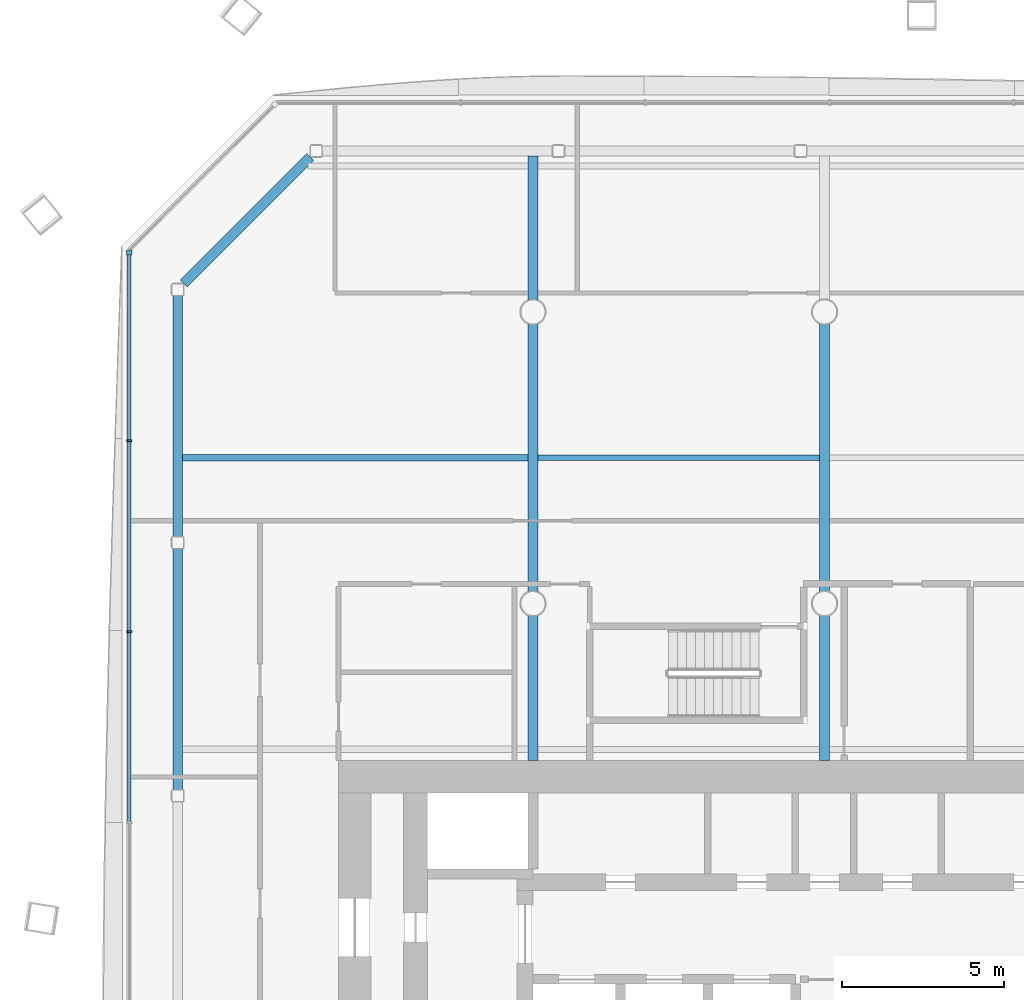
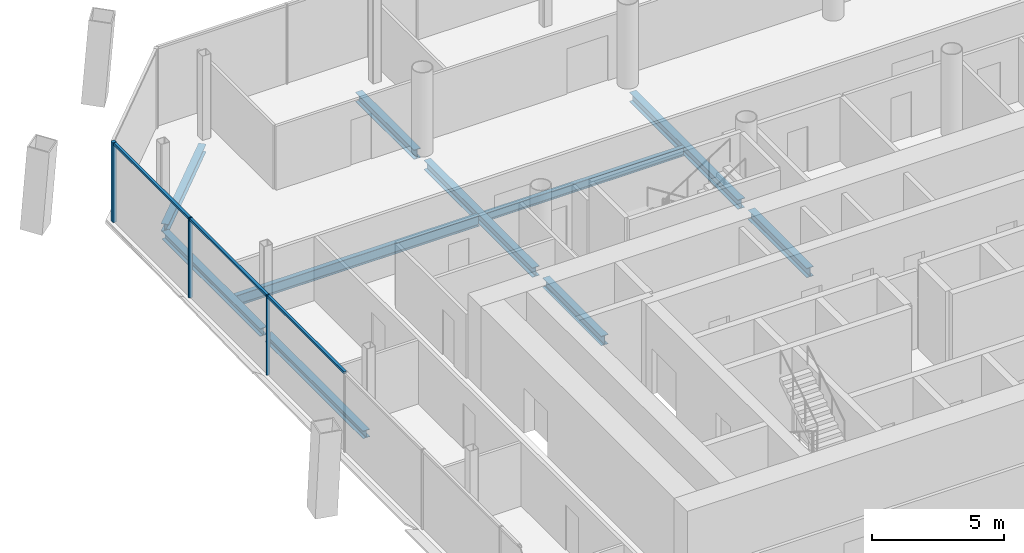
# One storey, part 7 of 19: 10 beams, 6 members, 1 element without a shape of its own.
"""IFC4 building model written with IfcOpenShell, lengths in metres."""

import ifcopenshell
import ifcopenshell.guid

model = None  # the IFC model being written
_history = None  # IfcOwnerHistory: only IFC2X3 demands one
_inside = {}  # id of a spatial element -> (the spatial element, [elements in it])
_under = {}  # id of a project, library or spatial element -> (it, [spatial elements below it])
_declared = {}  # id of a project -> (the project, [libraries it declares])
_typed = {}  # id of a type object -> (the type object, [elements of that type])
_made_of = {}  # id of a material, layer set ... -> (it, [elements and type objects made of it])


def new_model(schema):
    """Start an empty IFC model of exactly this schema.

    Asked for "IFC4X3", IfcOpenShell would pick the latest addendum, in which some entities
    have other attributes; the version numbers below select the first issue.
    IFC2X3 requires an IfcOwnerHistory on every rooted entity: one is made here for all.
    """
    global model, _history
    if schema == "IFC4X3":
        model = ifcopenshell.file(schema_version=(4, 3, 0, 0))
    else:
        model = ifcopenshell.file(schema=schema)
    _inside.clear()
    _under.clear()
    _declared.clear()
    _typed.clear()
    _made_of.clear()
    _history = None
    if model.schema == "IFC2X3":
        org = make("IfcOrganization", Name="unknown")
        user = make(
            "IfcPersonAndOrganization",
            ThePerson=make("IfcPerson", FamilyName="unknown"),
            TheOrganization=org,
        )
        app = make(
            "IfcApplication",
            ApplicationDeveloper=org,
            Version="unknown",
            ApplicationFullName="unknown",
            ApplicationIdentifier="unknown",
        )
        _history = make(
            "IfcOwnerHistory",
            OwningUser=user,
            OwningApplication=app,
            ChangeAction="ADDED",
            CreationDate=0,
        )
    return model


def make(cls, **values):
    """One entity of the class cls with the attributes given. An attribute that is None is left unset."""
    return model.create_entity(
        cls, **{name: value for name, value in values.items() if value is not None}
    )


def rooted(cls, **values):
    """An entity with a GlobalId (a new one), such as an element, a storey or a relation."""
    return make(cls, GlobalId=ifcopenshell.guid.new(), OwnerHistory=_history, **values)


def si_unit(unit_type, name, prefix=None):
    """IfcSIUnit, for example si_unit("LENGTHUNIT", "METRE", prefix="MILLI")."""
    return make("IfcSIUnit", UnitType=unit_type, Prefix=prefix, Name=name)


def assignment(units):
    """IfcUnitAssignment: the units of a project."""
    return None if units is None else make("IfcUnitAssignment", Units=units)


def point(xyz):
    """IfcCartesianPoint."""
    return None if xyz is None else make("IfcCartesianPoint", Coordinates=xyz)


def direction(xyz):
    """IfcDirection."""
    return None if xyz is None else make("IfcDirection", DirectionRatios=xyz)


def frame(location, z_axis=None, x_axis=None):
    """IfcAxis2Placement3D, a coordinate frame: its origin and axes. An axis left out is left unset."""
    return make(
        "IfcAxis2Placement3D",
        Location=point(location),
        Axis=direction(z_axis),
        RefDirection=direction(x_axis),
    )


def frame_2d(location, x_axis=None):
    """IfcAxis2Placement2D, a coordinate frame in the plane: its origin and x axis."""
    return make(
        "IfcAxis2Placement2D", Location=point(location), RefDirection=direction(x_axis)
    )


def origin():
    """The frame at (0, 0, 0) with its axes left unset."""
    return frame((0.0, 0.0, 0.0))


def origin_2d():
    """The frame at (0, 0) in the plane with its x axis left unset."""
    return frame_2d((0.0, 0.0))


def place(relative_to, where):
    """IfcLocalPlacement: puts the frame where relative to a parent placement (None: the world)."""
    return make(
        "IfcLocalPlacement", PlacementRelTo=relative_to, RelativePlacement=where
    )


def context(
    kind, dimensions, precision=None, world=None, true_north=None, identifier=None
):
    """IfcGeometricRepresentationContext, for example the 3D "Model" context."""
    return make(
        "IfcGeometricRepresentationContext",
        ContextIdentifier=identifier,
        ContextType=kind,
        CoordinateSpaceDimension=dimensions,
        Precision=precision,
        WorldCoordinateSystem=world,
        TrueNorth=true_north,
    )


def subcontext(parent, identifier, kind, view, scale=None):
    """IfcGeometricRepresentationSubContext, for example "Body" below "Model"."""
    return make(
        "IfcGeometricRepresentationSubContext",
        ContextIdentifier=identifier,
        ContextType=kind,
        ParentContext=parent,
        TargetScale=scale,
        TargetView=view,
    )


def project(units=None, contexts=None):
    """IfcProject with its units and contexts."""
    return rooted(
        "IfcProject",
        Name="project",
        RepresentationContexts=contexts,
        UnitsInContext=assignment(units),
    )


def spatial(cls, under=None, at=None, **own):
    """A site, building, storey or space (cls), placed at a placement, below another one or the project."""
    s = rooted(cls, ObjectPlacement=at, **own)
    if under is not None:
        _under.setdefault(under.id(), (under, []))[1].append(s)
    return s


def profile(cls, at=None, kind="AREA", **sizes):
    """A parametric profile (cls). Its sizes go by their IFC names, for example OverallWidth=200.0."""
    return make(cls, ProfileType=kind, Position=at, **sizes)


def rectangle(**sizes):
    """IfcRectangleProfileDef."""
    return profile("IfcRectangleProfileDef", **sizes)


def i_section(**sizes):
    """IfcIShapeProfileDef."""
    return profile("IfcIShapeProfileDef", **sizes)


def extrude(swept, where, along, depth):
    """IfcExtrudedAreaSolid: the profile swept, set in the frame where, extruded along a direction by depth."""
    return make(
        "IfcExtrudedAreaSolid",
        SweptArea=swept,
        Position=where,
        ExtrudedDirection=direction(along),
        Depth=depth,
    )


def shape(context_of_items, identifier, shape_type, items):
    """IfcShapeRepresentation: the items that make up one representation, for example the "Body"."""
    return make(
        "IfcShapeRepresentation",
        ContextOfItems=context_of_items,
        RepresentationIdentifier=identifier,
        RepresentationType=shape_type,
        Items=items,
    )


def material(Name=None, Category=None):
    """IfcMaterial."""
    return make("IfcMaterial", Name=Name, Category=Category)


def material_profile(
    of_material, cross_section, Name=None, Category=None, Priority=None
):
    """IfcMaterialProfile: a cross section and its material."""
    return make(
        "IfcMaterialProfile",
        Name=Name,
        Material=of_material,
        Profile=cross_section,
        Priority=Priority,
        Category=Category,
    )


def profile_set(profiles, Name=None, composite=None):
    """IfcMaterialProfileSet."""
    return make(
        "IfcMaterialProfileSet",
        Name=Name,
        MaterialProfiles=profiles,
        CompositeProfile=composite,
    )


def made_of(thing, what):
    """Note that an element or type object is made of a material, layer set ...; save() writes the relation."""
    if what is not None:
        _made_of.setdefault(what.id(), (what, []))[1].append(thing)
    return thing


def type_object(cls, material=None, **own):
    """A type object (cls), such as IfcWallType, which elements share."""
    return made_of(rooted(cls, **own), material)


def element(
    cls,
    number,
    at=None,
    inside=None,
    cuts=None,
    type_object=None,
    material=None,
    context=None,
    identifier="Body",
    shape_type=None,
    held_by="IfcProductDefinitionShape",
    body=None,
    shapes=None,
    **own,
):
    """One element of the class cls, such as IfcWall. Its Tag is "e" and its number.

    at: its placement. inside: the storey or other place that contains it. cuts: it is an
    opening in that element (IfcRelVoidsElement). A single representation is given by context,
    identifier, shape_type and body (its items); several are given by shapes. held_by: the class
    of the entity that holds the representations. save() writes the other relations.
    """
    e = rooted(cls, Tag="e%d" % number, ObjectPlacement=at, **own)
    if body is not None:
        shapes = [shape(context, identifier, shape_type, body)]
    if shapes is not None:
        e.Representation = make(held_by, Representations=shapes)
    if inside is not None:
        _inside.setdefault(inside.id(), (inside, []))[1].append(e)
    if cuts is not None:
        rooted(
            "IfcRelVoidsElement", RelatingBuildingElement=cuts, RelatedOpeningElement=e
        )
    if type_object is not None:
        _typed.setdefault(type_object.id(), (type_object, []))[1].append(e)
    return made_of(e, material)


def aggregate(whole, parts):
    """IfcRelAggregates: a whole, such as a stair, and the parts it consists of."""
    return rooted("IfcRelAggregates", RelatingObject=whole, RelatedObjects=parts)


def save(model, path):
    """Write the relations noted so far, then the file.

    IfcRelAggregates (storeys below a building ...), IfcRelContainedInSpatialStructure (elements
    in a storey), IfcRelDefinesByType, IfcRelAssociatesMaterial and IfcRelDeclares: one each for
    every whole, place, type object, material and project.
    """
    for whole, parts in _under.values():
        aggregate(whole, parts)
    for where, things in _inside.values():
        rooted(
            "IfcRelContainedInSpatialStructure",
            RelatedElements=things,
            RelatingStructure=where,
        )
    for kind, things in _typed.values():
        rooted("IfcRelDefinesByType", RelatedObjects=things, RelatingType=kind)
    for what, things in _made_of.values():
        rooted("IfcRelAssociatesMaterial", RelatedObjects=things, RelatingMaterial=what)
    for by, libraries in _declared.values():
        rooted("IfcRelDeclares", RelatingContext=by, RelatedDefinitions=libraries)
    model.write(path)


model = new_model("IFC4")

# Units and contexts
model_context = context("Model", 3, precision=1e-05, world=origin(), true_north=direction((0.0, 1.0)))
body_context = subcontext(model_context, "Body", "Model", "MODEL_VIEW")
ifc_project = project(units=[si_unit("LENGTHUNIT", "METRE"), si_unit("AREAUNIT", "SQUARE_METRE"), si_unit("VOLUMEUNIT", "CUBIC_METRE"), si_unit("PLANEANGLEUNIT", "RADIAN"), si_unit("MASSUNIT", "GRAM", prefix="KILO")], contexts=[model_context])

# Site, building, storey
site_placement = place(None, origin())
site = spatial("IfcSite", under=ifc_project, at=site_placement, CompositionType="ELEMENT")
building_placement = place(site_placement, origin())
building = spatial("IfcBuilding", under=site, at=building_placement, Name="Tskaro Facet Tower", CompositionType="ELEMENT")
storey_placement = place(building_placement, frame((0.0, 0.0, 93.300048828125)))
storey = spatial("IfcBuildingStorey", under=building, at=storey_placement, Name="L22", CompositionType="ELEMENT", Elevation=93.300048828125)

# Curtain wall, members
ifc_material_1 = material(Name="Bronze anodised aluminium 6063-T6", Category="aluminium")
curtain_wall_type = type_object("IfcCurtainWallType", Name="Bronze office curtain wall (FW1)", PredefinedType="NOTDEFINED", material=ifc_material_1)
curtain_wall_placement = place(storey_placement, origin())
curtain_wall = element("IfcCurtainWall", 1, at=curtain_wall_placement, inside=storey, type_object=curtain_wall_type, Name="FW1 west facet L22", PredefinedType="NOTDEFINED")
ifc_material_profile_1 = material_profile(ifc_material_1, rectangle(XDim=0.159912109375, YDim=0.159912109375, at=origin_2d()), Name="Corner post 160x160")
ifc_profile_set_1 = profile_set([ifc_material_profile_1], Name="Bronze anodised aluminium 6063-T6")
member_type_1 = type_object("IfcMemberType", Name="FW1 bronze corner post 160x160", PredefinedType="MULLION", material=ifc_profile_set_1)
member_1_placement = place(storey_placement, frame((-21.462890625, 19.8330078125, 0.0), z_axis=(0.0, 0.0, 1.0), x_axis=(0.0, -1.0, 0.0)))
member_1 = element("IfcMember", 2, at=member_1_placement, type_object=member_type_1, Name="FW1 west corner post", PredefinedType="MULLION", context=body_context, shape_type="SweptSolid", body=[
    extrude(rectangle(XDim=0.159912109375, YDim=0.159912109375, at=origin_2d()), origin(), (0.0, 0.0, 1.0), 3.699951171875),
])
ifc_material_profile_2 = material_profile(ifc_material_1, rectangle(XDim=0.06005859375, YDim=0.159912109375, at=origin_2d()), Name="Mullion 60x160")
ifc_profile_set_2 = profile_set([ifc_material_profile_2], Name="Bronze anodised aluminium 6063-T6")
member_type_2 = type_object("IfcMemberType", Name="FW1 bronze mullion 60x160", PredefinedType="MULLION", material=ifc_profile_set_2)
member_2_placement = place(storey_placement, frame((-21.462890625, 14.0185546875, 0.0), z_axis=(0.0, 0.0, 1.0), x_axis=(0.0, -1.0, 0.0)))
member_2 = element("IfcMember", 3, at=member_2_placement, type_object=member_type_2, Name="FW1 west mullion 1", PredefinedType="MULLION", context=body_context, shape_type="SweptSolid", body=[
    extrude(rectangle(XDim=0.06005859375, YDim=0.159912109375, at=origin_2d()), origin(), (0.0, 0.0, 1.0), 3.699951171875),
])
member_3_placement = place(storey_placement, frame((-21.462890625, 8.1240234375, 0.0), z_axis=(0.0, 0.0, 1.0), x_axis=(0.0, -1.0, 0.0)))
member_3 = element("IfcMember", 4, at=member_3_placement, type_object=member_type_2, Name="FW1 west mullion 2", PredefinedType="MULLION", context=body_context, shape_type="SweptSolid", body=[
    extrude(rectangle(XDim=0.06005859375, YDim=0.159912109375, at=origin_2d()), origin(), (0.0, 0.0, 1.0), 3.699951171875),
])
ifc_material_profile_3 = material_profile(ifc_material_1, rectangle(XDim=0.1201171875, YDim=0.10009765625, at=origin_2d()), Name="Transom 120x100")
ifc_profile_set_3 = profile_set([ifc_material_profile_3], Name="Bronze anodised aluminium 6063-T6")
member_type_3 = type_object("IfcMemberType", Name="FW1 bronze transom 120x100", PredefinedType="USERDEFINED", material=ifc_profile_set_3)
member_4_placement = place(storey_placement, frame((-21.462890625, 19.7529296875, 3.64990234375), z_axis=(0.0, -1.0, 0.0), x_axis=(1.0, 0.0, 0.0)))
member_4 = element("IfcMember", 5, at=member_4_placement, type_object=member_type_3, Name="FW1 west transom 1.1", ObjectType="TRANSOM", PredefinedType="USERDEFINED", context=body_context, shape_type="SweptSolid", body=[
    extrude(rectangle(XDim=0.1201171875, YDim=0.10009765625, at=origin_2d()), origin(), (0.0, 0.0, 1.0), 5.704345703125),
])
member_5_placement = place(storey_placement, frame((-21.462890625, 13.988525390625, 3.64990234375), z_axis=(0.0, -1.0, 0.0), x_axis=(1.0, 0.0, 0.0)))
member_5 = element("IfcMember", 6, at=member_5_placement, type_object=member_type_3, Name="FW1 west transom 2.1", ObjectType="TRANSOM", PredefinedType="USERDEFINED", context=body_context, shape_type="SweptSolid", body=[
    extrude(rectangle(XDim=0.1201171875, YDim=0.10009765625, at=origin_2d()), origin(), (0.0, 0.0, 1.0), 5.83447265625),
])
member_6_placement = place(storey_placement, frame((-21.462890625, 8.09423828125, 3.64990234375), z_axis=(0.0, -1.0, 0.0), x_axis=(1.0, 0.0, 0.0)))
member_6 = element("IfcMember", 7, at=member_6_placement, type_object=member_type_3, Name="FW1 west transom 3.1", ObjectType="TRANSOM", PredefinedType="USERDEFINED", context=body_context, shape_type="SweptSolid", body=[
    extrude(rectangle(XDim=0.1201171875, YDim=0.10009765625, at=origin_2d()), origin(), (0.0, 0.0, 1.0), 5.83447265625),
])
aggregate(curtain_wall, [member_1, member_2, member_3, member_4, member_5, member_6])

# Beams
ifc_material_2 = material(Name="Steel S355J2", Category="steel")
ifc_material_profile_4 = material_profile(ifc_material_2, i_section(OverallWidth=0.300048828125, OverallDepth=0.360107421875, WebThickness=0.012451171875, FlangeThickness=0.0224609375, FilletRadius=0.027099609375, at=origin_2d()), Name="HE 360 B")
ifc_profile_set_4 = profile_set([ifc_material_profile_4], Name="Steel S355J2")
beam_type_1 = type_object("IfcBeamType", Name="HE 360 B ring beam", PredefinedType="BEAM", material=ifc_profile_set_4)
beam_1_placement = place(storey_placement, frame((-15.8759765625, 22.779052734375, -0.320068359375), z_axis=(-0.707106781187, -0.707106781187, 0.0), x_axis=(0.707106781187, -0.707106781187, 0.0)))
element("IfcBeam", 8, at=beam_1_placement, inside=storey, type_object=beam_type_1, Name="HE 360 B EB18-2", PredefinedType="BEAM", context=body_context, shape_type="SweptSolid", body=[
    extrude(i_section(OverallWidth=0.300048828125, OverallDepth=0.360107421875, WebThickness=0.012451171875, FlangeThickness=0.0224609375, FilletRadius=0.027099609375, at=origin_2d()), origin(), (0.0, 0.0, 1.0), 5.519775390625),
])
for number, where, z_axis, x_axis, name in (
    (9, (-19.965087890625, 18.510009765625, -0.320068359375), (0.0, -1.0, 0.0), (1.0, 0.0, 0.0), "HE 360 B EB19-2"),
    (10, (-19.965087890625, 10.698974609375, -0.320068359375), (0.0, -1.0, 0.0), (1.0, 0.0, 0.0), "HE 360 B EB20-2"),
):
    element("IfcBeam", number, at=place(storey_placement, frame(where, z_axis=z_axis, x_axis=x_axis)), inside=storey, type_object=beam_type_1, Name=name, PredefinedType="BEAM", context=body_context, shape_type="SweptSolid", body=[
        extrude(i_section(OverallWidth=0.300048828125, OverallDepth=0.360107421875, WebThickness=0.012451171875, FlangeThickness=0.0224609375, FilletRadius=0.027099609375, at=origin_2d()), origin(), (0.0, 0.0, 1.0), 7.450927734375),
    ])
ifc_material_profile_5 = material_profile(ifc_material_2, i_section(OverallWidth=0.300048828125, OverallDepth=0.43994140625, WebThickness=0.011474609375, FlangeThickness=0.02099609375, FilletRadius=0.027099609375, at=origin_2d()), Name="HE 450 A")
ifc_profile_set_5 = profile_set([ifc_material_profile_5], Name="Steel S355J2")
beam_type_2 = type_object("IfcBeamType", Name="HE 450 A girder", PredefinedType="BEAM", material=ifc_profile_set_5)
beam_2_placement = place(storey_placement, frame((-9.0, 4.14990234375, -0.360107421875), z_axis=(0.0, 1.0, 0.0), x_axis=(-1.0, 0.0, 0.0)))
element("IfcBeam", 11, at=beam_2_placement, inside=storey, type_object=beam_type_2, Name="HE 450 A GB3-3-2", PredefinedType="BEAM", context=body_context, shape_type="SweptSolid", body=[
    extrude(i_section(OverallWidth=0.300048828125, OverallDepth=0.43994140625, WebThickness=0.011474609375, FlangeThickness=0.02099609375, FilletRadius=0.027099609375, at=origin_2d()), origin(), (0.0, 0.0, 1.0), 4.4736328125),
])
beam_3_placement = place(storey_placement, frame((-9.0, 9.37646484375, -0.360107421875), z_axis=(0.0, 1.0, 0.0), x_axis=(-1.0, 0.0, 0.0)))
element("IfcBeam", 12, at=beam_3_placement, inside=storey, type_object=beam_type_2, Name="HE 450 A GB3-4-2", PredefinedType="BEAM", context=body_context, shape_type="SweptSolid", body=[
    extrude(i_section(OverallWidth=0.300048828125, OverallDepth=0.43994140625, WebThickness=0.011474609375, FlangeThickness=0.02099609375, FilletRadius=0.027099609375, at=origin_2d()), origin(), (0.0, 0.0, 1.0), 8.2470703125),
])
beam_4_placement = place(storey_placement, frame((-9.0, 18.37646484375, -0.360107421875), z_axis=(0.0, 1.0, 0.0), x_axis=(-1.0, 0.0, 0.0)))
element("IfcBeam", 13, at=beam_4_placement, inside=storey, type_object=beam_type_2, Name="HE 450 A GB3-5-2", PredefinedType="BEAM", context=body_context, shape_type="SweptSolid", body=[
    extrude(i_section(OverallWidth=0.300048828125, OverallDepth=0.43994140625, WebThickness=0.011474609375, FlangeThickness=0.02099609375, FilletRadius=0.027099609375, at=origin_2d()), origin(), (0.0, 0.0, 1.0), 4.4384765625),
])
beam_5_placement = place(storey_placement, frame((0.0, 4.14990234375, -0.360107421875), z_axis=(0.0, 1.0, 0.0), x_axis=(-1.0, 0.0, 0.0)))
element("IfcBeam", 14, at=beam_5_placement, inside=storey, type_object=beam_type_2, Name="HE 450 A GB4-3-2", PredefinedType="BEAM", context=body_context, shape_type="SweptSolid", body=[
    extrude(i_section(OverallWidth=0.300048828125, OverallDepth=0.43994140625, WebThickness=0.011474609375, FlangeThickness=0.02099609375, FilletRadius=0.027099609375, at=origin_2d()), origin(), (0.0, 0.0, 1.0), 4.4736328125),
])
beam_6_placement = place(storey_placement, frame((0.0, 9.37646484375, -0.360107421875), z_axis=(0.0, 1.0, 0.0), x_axis=(-1.0, 0.0, 0.0)))
element("IfcBeam", 15, at=beam_6_placement, inside=storey, type_object=beam_type_2, Name="HE 450 A GB4-4-2", PredefinedType="BEAM", context=body_context, shape_type="SweptSolid", body=[
    extrude(i_section(OverallWidth=0.300048828125, OverallDepth=0.43994140625, WebThickness=0.011474609375, FlangeThickness=0.02099609375, FilletRadius=0.027099609375, at=origin_2d()), origin(), (0.0, 0.0, 1.0), 8.2470703125),
])
ifc_material_profile_6 = material_profile(ifc_material_2, i_section(OverallWidth=0.179931640625, OverallDepth=0.39990234375, WebThickness=0.008544921875, FlangeThickness=0.013427734375, FilletRadius=0.02099609375, at=origin_2d()), Name="IPE 400")
ifc_profile_set_6 = profile_set([ifc_material_profile_6], Name="Steel S355J2")
beam_type_3 = type_object("IfcBeamType", Name="IPE 400 secondary beam", PredefinedType="BEAM", material=ifc_profile_set_6)
beam_7_placement = place(storey_placement, frame((-8.85009765625, 13.5, -0.340087890625), z_axis=(1.0, 0.0, 0.0), x_axis=(0.0, 1.0, 0.0)))
element("IfcBeam", 16, at=beam_7_placement, inside=storey, type_object=beam_type_3, Name="IPE 400 SB5a-2-2", PredefinedType="BEAM", context=body_context, shape_type="SweptSolid", body=[
    extrude(i_section(OverallWidth=0.179931640625, OverallDepth=0.39990234375, WebThickness=0.008544921875, FlangeThickness=0.013427734375, FilletRadius=0.02099609375, at=origin_2d()), origin(), (0.0, 0.0, 1.0), 8.7001953125),
])
ifc_material_profile_7 = material_profile(ifc_material_2, i_section(OverallWidth=0.199951171875, OverallDepth=0.5, WebThickness=0.01025390625, FlangeThickness=0.01611328125, FilletRadius=0.02099609375, at=origin_2d()), Name="IPE 500")
ifc_profile_set_7 = profile_set([ifc_material_profile_7], Name="Steel S355J2")
beam_type_4 = type_object("IfcBeamType", Name="IPE 500 long secondary beam", PredefinedType="BEAM", material=ifc_profile_set_7)
beam_8_placement = place(storey_placement, frame((-19.81494140625, 13.5, -0.39013671875), z_axis=(1.0, 0.0, 0.0), x_axis=(0.0, 1.0, 0.0)))
element("IfcBeam", 17, at=beam_8_placement, inside=storey, type_object=beam_type_4, Name="IPE 500 LSB5a-1-2", PredefinedType="BEAM", context=body_context, shape_type="SweptSolid", body=[
    extrude(i_section(OverallWidth=0.199951171875, OverallDepth=0.5, WebThickness=0.01025390625, FlangeThickness=0.01611328125, FilletRadius=0.02099609375, at=origin_2d()), origin(), (0.0, 0.0, 1.0), 10.6650390625),
])

save(model, "model.ifc")
